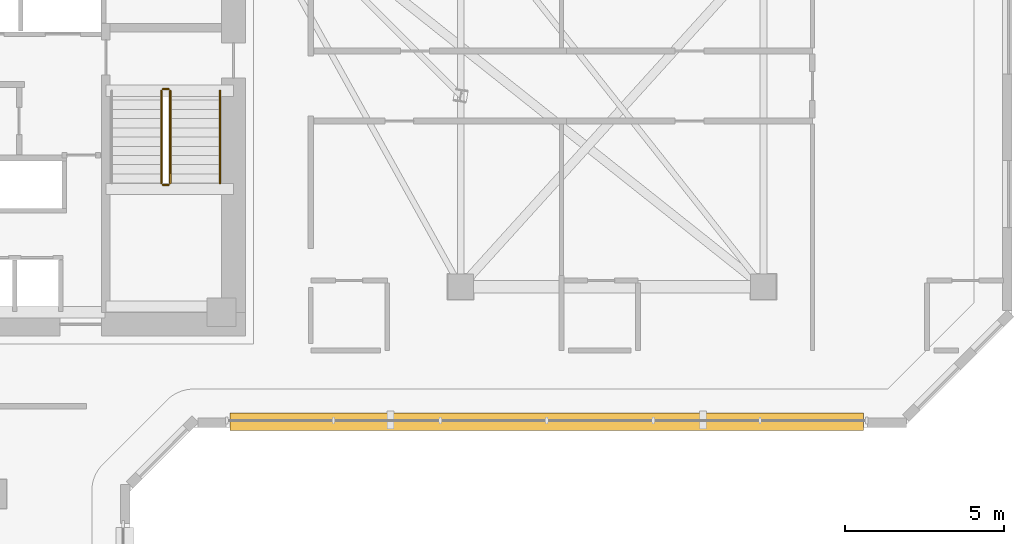
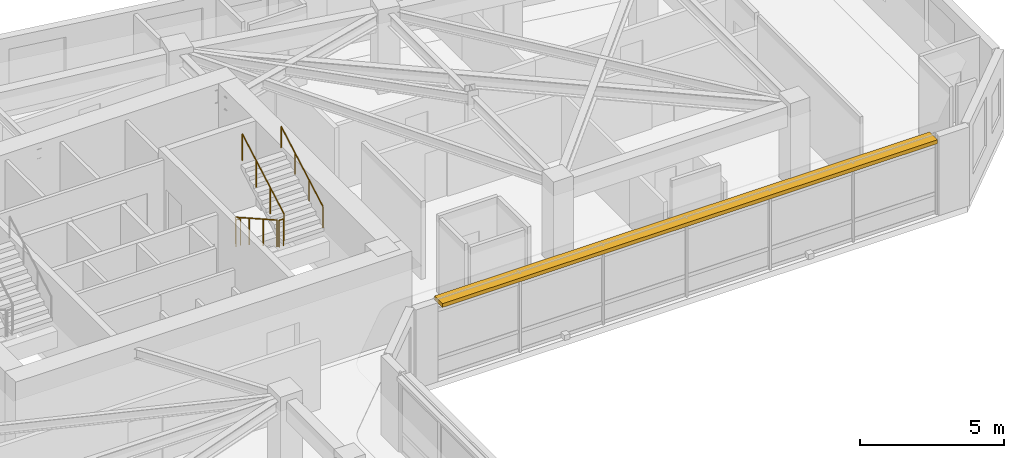
# One storey, part 11 of 11: 5 railings, 1 shading device.
"""IFC4 building model written with IfcOpenShell, lengths in metres."""

from ifc_helpers import new_model, si_unit, direction, frame, frame_2d, origin, origin_2d, place, context, subcontext, project, spatial, rectangle, circle, extrude, material, type_object, element, save


model = new_model("IFC4")

# Units and contexts
model_context = context("Model", 3, precision=1e-05, world=origin(), true_north=direction((0.0, 1.0)))
body_context = subcontext(model_context, "Body", "Model", "MODEL_VIEW")
ifc_project = project(units=[si_unit("LENGTHUNIT", "METRE"), si_unit("AREAUNIT", "SQUARE_METRE"), si_unit("VOLUMEUNIT", "CUBIC_METRE"), si_unit("PLANEANGLEUNIT", "RADIAN"), si_unit("MASSUNIT", "GRAM", prefix="KILO")], contexts=[model_context])

# Site, building, storey
site_placement = place(None, origin())
site = spatial("IfcSite", under=ifc_project, at=site_placement, CompositionType="ELEMENT")
building_placement = place(site_placement, origin())
building = spatial("IfcBuilding", under=site, at=building_placement, Name="Calvemar Wedge Station Tower", CompositionType="ELEMENT")
storey_placement = place(building_placement, frame((0.0, 0.0, 157.39990234375)))
storey = spatial("IfcBuildingStorey", under=building, at=storey_placement, Name="L39", CompositionType="ELEMENT", Elevation=157.39990234375)

# Railings
ifc_material_1 = material(Name="Stainless steel AISI 316L", Category="steel")
railing_type_1 = type_object("IfcRailingType", Name="RL-HANDRAIL-920", PredefinedType="HANDRAIL", material=ifc_material_1)
railing_1_placement = place(storey_placement, frame((30.949951171875, 38.25, 1.963623046875)))
element("IfcRailing", 1, at=railing_1_placement, inside=storey, type_object=railing_type_1, Name="L39 ST-C2 stair handrail 2", PredefinedType="HANDRAIL", context=body_context, shape_type="SweptSolid", body=[
    extrude(circle(Radius=0.02392578125, at=origin_2d()), frame((0.0, 0.0, 0.89599609375), z_axis=(0.0, 0.870897200241, 0.491465224214), x_axis=(-1.0, 0.0, 0.0)), (0.0, 0.0, 1.0), 3.329833984375),
    extrude(circle(Radius=0.02099609375, at=origin_2d()), origin(), (0.0, 0.0, 1.0), 0.871826171875),
    extrude(circle(Radius=0.02099609375, at=origin_2d()), frame((0.0, 0.966552734375, 0.54541015625)), (0.0, 0.0, 1.0), 0.871826171875),
    extrude(circle(Radius=0.02099609375, at=origin_2d()), frame((0.0, 1.933349609375, 1.091064453125)), (0.0, 0.0, 1.0), 0.871826171875),
    extrude(circle(Radius=0.02099609375, at=origin_2d()), frame((0.0, 2.89990234375, 1.636474609375)), (0.0, 0.0, 1.0), 0.871826171875),
])
ifc_material_2 = material(Name="Painted steel guardrail ASTM A500 Grade C", Category="steel")
railing_type_2 = type_object("IfcRailingType", Name="RL-STAIR-GUARD-1150", PredefinedType="GUARDRAIL", material=ifc_material_2)
railing_2_placement = place(storey_placement, frame((29.110107421875, 41.14990234375, 0.163818359375)))
element("IfcRailing", 2, at=railing_2_placement, inside=storey, type_object=railing_type_2, Name="L39 ST-C2 stair guard 1", PredefinedType="GUARDRAIL", context=body_context, shape_type="SweptSolid", body=[
    extrude(circle(Radius=0.02392578125, at=origin_2d()), frame((0.0, 0.0, 1.1259765625), z_axis=(0.0, -0.870928581787, 0.491409610636), x_axis=(1.0, 0.0, 0.0)), (0.0, 0.0, 1.0), 3.32958984375),
    extrude(circle(Radius=0.02099609375, at=origin_2d()), origin(), (0.0, 0.0, 1.0), 1.101806640625),
    extrude(circle(Radius=0.02099609375, at=origin_2d()), frame((0.0, -0.966552734375, 0.54541015625)), (0.0, 0.0, 1.0), 1.101806640625),
    extrude(circle(Radius=0.02099609375, at=origin_2d()), frame((0.0, -1.933349609375, 1.0908203125)), (0.0, 0.0, 1.0), 1.101806640625),
    extrude(circle(Radius=0.02099609375, at=origin_2d()), frame((0.0, -2.89990234375, 1.63623046875)), (0.0, 0.0, 1.0), 1.101806640625),
])
railing_3_placement = place(storey_placement, frame((29.159912109375, 38.199951171875, 1.800048828125)))
element("IfcRailing", 3, at=railing_3_placement, inside=storey, type_object=railing_type_2, Name="L39 ST-C2 stair guard 2", PredefinedType="GUARDRAIL", context=body_context, shape_type="SweptSolid", body=[
    extrude(circle(Radius=0.02392578125, at=origin_2d()), frame((0.0, 0.0, 1.1259765625), z_axis=(1.0, 0.0, 0.0), x_axis=(0.0, 1.0, 0.0)), (0.0, 0.0, 1.0), 0.18017578125),
    extrude(circle(Radius=0.02099609375, at=origin_2d()), origin(), (0.0, 0.0, 1.0), 1.101806640625),
    extrude(circle(Radius=0.02099609375, at=origin_2d()), frame((0.18017578125, 0.0, 0.0)), (0.0, 0.0, 1.0), 1.101806640625),
])
railing_4_placement = place(storey_placement, frame((29.389892578125, 38.25, 1.963623046875)))
element("IfcRailing", 4, at=railing_4_placement, inside=storey, type_object=railing_type_2, Name="L39 ST-C2 stair guard 3", PredefinedType="GUARDRAIL", context=body_context, shape_type="SweptSolid", body=[
    extrude(circle(Radius=0.02392578125, at=origin_2d()), frame((0.0, 0.0, 1.1259765625), z_axis=(0.0, 0.870897200241, 0.491465224214), x_axis=(-1.0, 0.0, 0.0)), (0.0, 0.0, 1.0), 3.329833984375),
    extrude(circle(Radius=0.02099609375, at=origin_2d()), origin(), (0.0, 0.0, 1.0), 1.101806640625),
    extrude(circle(Radius=0.02099609375, at=origin_2d()), frame((0.0, 0.966552734375, 0.54541015625)), (0.0, 0.0, 1.0), 1.101806640625),
    extrude(circle(Radius=0.02099609375, at=origin_2d()), frame((0.0, 1.933349609375, 1.091064453125)), (0.0, 0.0, 1.0), 1.101806640625),
    extrude(circle(Radius=0.02099609375, at=origin_2d()), frame((0.0, 2.89990234375, 1.636474609375)), (0.0, 0.0, 1.0), 1.101806640625),
])
railing_5_placement = place(storey_placement, frame((29.159912109375, 41.199951171875, 0.0)))
element("IfcRailing", 5, at=railing_5_placement, inside=storey, type_object=railing_type_2, Name="L39 ST-C2 stair guard 4", PredefinedType="GUARDRAIL", context=body_context, shape_type="SweptSolid", body=[
    extrude(circle(Radius=0.02392578125, at=origin_2d()), frame((0.0, 0.0, 1.1259765625), z_axis=(1.0, 0.0, 0.0), x_axis=(0.0, 1.0, 0.0)), (0.0, 0.0, 1.0), 0.18017578125),
    extrude(circle(Radius=0.02099609375, at=origin_2d()), origin(), (0.0, 0.0, 1.0), 1.101806640625),
    extrude(circle(Radius=0.02099609375, at=origin_2d()), frame((0.18017578125, 0.0, 0.0)), (0.0, 0.0, 1.0), 1.101806640625),
])

# Shading device
ifc_material_3 = material(Name="Precast concrete C45", Category="concrete")
shading_device_type = type_object("IfcShadingDeviceType", Name="SHD-EYEBROW-1", PredefinedType="SHUTTER", material=ifc_material_3)
shading_device_placement = place(storey_placement, frame((31.265869140625, 30.761962890625, 3.170166015625), z_axis=(0.0, 0.0, 1.0), x_axis=(1.0, 0.0, 0.0)))
element("IfcShadingDevice", 6, at=shading_device_placement, inside=storey, type_object=shading_device_type, Name="Storey L39 Bronze GFRC Solar Eyebrow 6", PredefinedType="SHUTTER", context=body_context, shape_type="SweptSolid", body=[
    extrude(rectangle(XDim=19.8720703125, YDim=0.550048828125, at=frame_2d((9.93603515625, 0.0))), origin(), (0.0, 0.0, 1.0), 0.159912109375),
])

save(model, "model.ifc")
